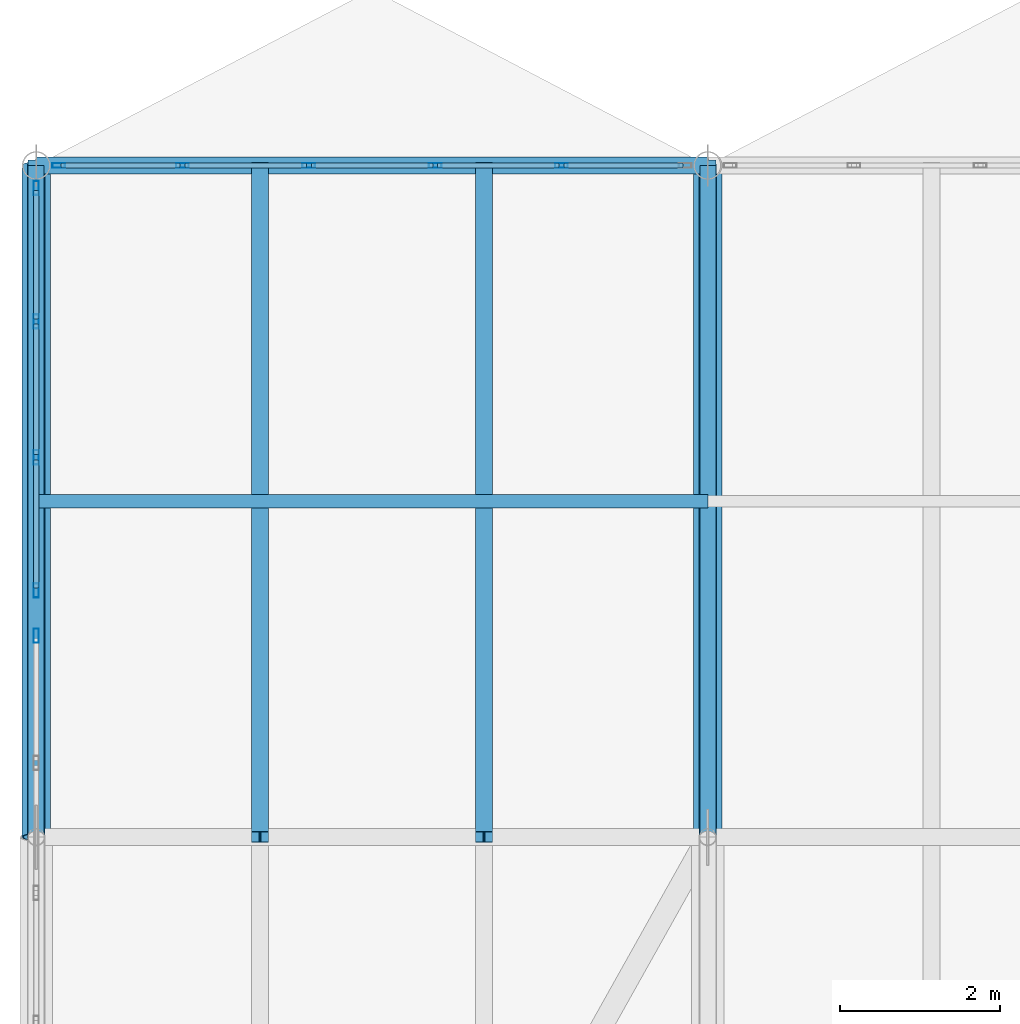
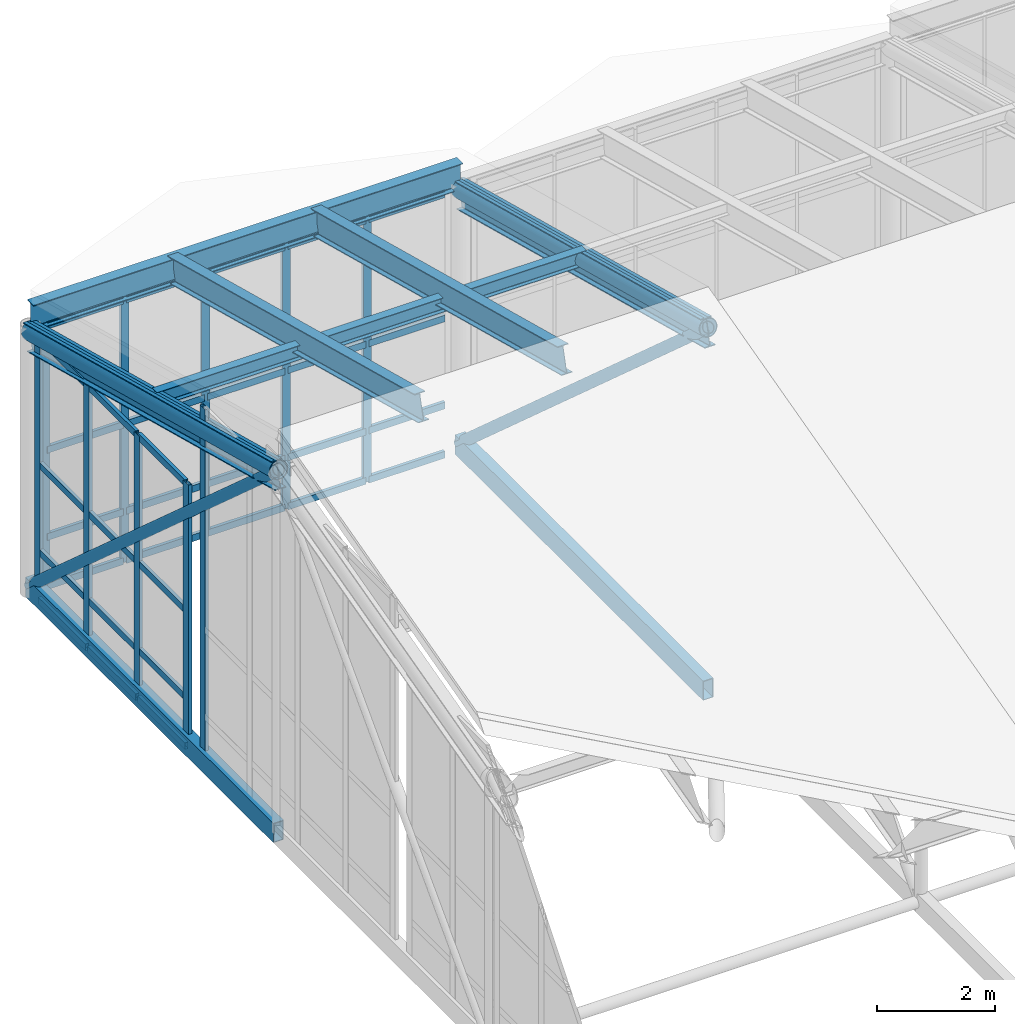
# One storey, part 14 of 43: 49 members, 5 beams, 3 elements without a shape of their own.
"""IFC4 building model written with IfcOpenShell, lengths in metres."""

from ifc_helpers import new_model, si_unit, direction, frame, origin, origin_2d, place, context, subcontext, project, spatial, hollow_rectangle, hollow_circle, i_section, extrude, material, layer, layer_set, material_profile, profile_set, type_object, element, aggregate, save


model = new_model("IFC4")

# Units and contexts
model_context = context("Model", 3, precision=1e-05, world=origin(), true_north=direction((0.0, 1.0)))
body_context = subcontext(model_context, "Body", "Model", "MODEL_VIEW")
ifc_project = project(units=[si_unit("LENGTHUNIT", "METRE"), si_unit("AREAUNIT", "SQUARE_METRE"), si_unit("VOLUMEUNIT", "CUBIC_METRE"), si_unit("PLANEANGLEUNIT", "RADIAN"), si_unit("MASSUNIT", "GRAM", prefix="KILO")], contexts=[model_context])

# Site, building, storey
site_placement = place(None, origin())
site = spatial("IfcSite", under=ifc_project, at=site_placement, CompositionType="ELEMENT")
building_placement = place(site_placement, origin())
building = spatial("IfcBuilding", under=site, at=building_placement, Name="Selat Folded Stagehouse", CompositionType="ELEMENT")
storey_placement = place(building_placement, frame((0.0, 0.0, 32.39990234375)))
storey = spatial("IfcBuildingStorey", under=building, at=storey_placement, Name="RF", CompositionType="ELEMENT", Elevation=32.39990234375)

# Beams
ifc_material_1 = material(Name="Steel S355", Category="steel")
ifc_material_profile_1 = material_profile(ifc_material_1, i_section(OverallWidth=0.210693359375, OverallDepth=0.53955078125, WebThickness=0.01171875, FlangeThickness=0.018798828125, FilletRadius=0.0126953125, at=origin_2d()), Name="UKB 533x210x109")
ifc_profile_set_1 = profile_set([ifc_material_profile_1], Name="Steel S355")
beam_type_1 = type_object("IfcBeamType", Name="BM-GIRD-533x210x109", PredefinedType="BEAM", material=ifc_profile_set_1)
for number, where, z_axis, x_axis, name in (
    (1, (8.39990234375, 46.199951171875, 7.529296875), (0.0, 0.966800633411, -0.25553186736), (-1.0, 0.0, 0.0), "RF primary north rafter beam 1"),
    (2, (16.800048828125, 46.199951171875, 7.529296875), (0.0, 0.966800633411, -0.25553186736), (-1.0, 0.0, 0.0), "RF primary north rafter beam 2"),
):
    element("IfcBeam", number, at=place(storey_placement, frame(where, z_axis=z_axis, x_axis=x_axis)), inside=storey, type_object=beam_type_1, Name=name, PredefinedType="BEAM", context=body_context, shape_type="SweptSolid", body=[
        extrude(i_section(OverallWidth=0.210693359375, OverallDepth=0.53955078125, WebThickness=0.01171875, FlangeThickness=0.018798828125, FilletRadius=0.0126953125, at=origin_2d()), origin(), (0.0, 0.0, 1.0), 8.688720703125),
    ])
ifc_material_profile_2 = material_profile(ifc_material_1, i_section(OverallWidth=0.209228515625, OverallDepth=0.533203125, WebThickness=0.010009765625, FlangeThickness=0.015625, FilletRadius=0.0126953125, at=origin_2d()), Name="UKB 533x210x92")
ifc_profile_set_2 = profile_set([ifc_material_profile_2], Name="Steel S355")
beam_type_2 = type_object("IfcBeamType", Name="BM-GIRD-533x210x92", PredefinedType="BEAM", material=ifc_profile_set_2)
beam_placement = place(storey_placement, frame((8.39990234375, 54.60009765625, 5.723388671875), z_axis=(1.0, 0.0, 0.0), x_axis=(0.0, 1.0, 0.0)))
element("IfcBeam", 3, at=beam_placement, inside=storey, type_object=beam_type_2, Name="RF bay 1 N roof bearer beam", PredefinedType="BEAM", context=body_context, shape_type="SweptSolid", body=[
    extrude(i_section(OverallWidth=0.209228515625, OverallDepth=0.533203125, WebThickness=0.010009765625, FlangeThickness=0.015625, FilletRadius=0.0126953125, at=origin_2d()), origin(), (0.0, 0.0, 1.0), 8.400146484375),
])
for number, where, z_axis, x_axis, name in (
    (4, (11.199951171875, 46.199951171875, 7.943359375), (0.0, 0.966807574904, -0.255505602889), (-1.0, 0.0, 0.0), "RF bay 1 W north sub-rafter"),
    (5, (14.0, 46.199951171875, 7.943359375), (0.0, 0.966807574904, -0.255505602889), (-1.0, 0.0, 0.0), "RF bay 1 E north sub-rafter"),
):
    element("IfcBeam", number, at=place(storey_placement, frame(where, z_axis=z_axis, x_axis=x_axis)), inside=storey, type_object=beam_type_2, Name=name, PredefinedType="BEAM", context=body_context, shape_type="SweptSolid", body=[
        extrude(i_section(OverallWidth=0.209228515625, OverallDepth=0.533203125, WebThickness=0.010009765625, FlangeThickness=0.015625, FilletRadius=0.0126953125, at=origin_2d()), origin(), (0.0, 0.0, 1.0), 8.6884765625),
    ])

# Curtain wall, members
ifc_material_2 = material(Name="Aluminium 6063-T6", Category="aluminium")
ifc_layer = layer(ifc_material_2, 0.169921875)
ifc_layer_set = layer_set([ifc_layer], Name="Aluminium 6063-T6")
curtain_wall_type = type_object("IfcCurtainWallType", Name="CW-CRN-CLER", PredefinedType="NOTDEFINED", material=ifc_layer_set)
curtain_wall_1_placement = place(storey_placement, origin())
curtain_wall_1 = element("IfcCurtainWall", 6, at=curtain_wall_1_placement, inside=storey, type_object=curtain_wall_type, Name="RF curtain wall CW-RF-N-00", PredefinedType="NOTDEFINED")
ifc_material_profile_3 = material_profile(ifc_material_2, hollow_rectangle(XDim=0.06005859375, YDim=0.159912109375, WallThickness=0.00390625, at=origin_2d()), Name="ALU 160x60x4.0")
ifc_profile_set_3 = profile_set([ifc_material_profile_3], Name="Aluminium 6063-T6")
member_type_1 = type_object("IfcMemberType", Name="CWM-MUL-160x60", PredefinedType="MULLION", material=ifc_profile_set_3)
member_1_placement = place(storey_placement, frame((8.679931640625, 54.60009765625, 0.0), z_axis=(0.0, 0.0, 1.0), x_axis=(0.0, 1.0, 0.0)))
member_1 = element("IfcMember", 7, at=member_1_placement, type_object=member_type_1, Name="CW-09 mullion 1", PredefinedType="MULLION", context=body_context, shape_type="SweptSolid", body=[
    extrude(hollow_rectangle(XDim=0.06005859375, YDim=0.159912109375, WallThickness=0.00390625, at=origin_2d()), origin(), (0.0, 0.0, 1.0), 5.4501953125),
])
member_2_placement = place(storey_placement, frame((10.22998046875, 54.60009765625, 0.0), z_axis=(0.0, 0.0, 1.0), x_axis=(0.0, 1.0, 0.0)))
member_2 = element("IfcMember", 8, at=member_2_placement, type_object=member_type_1, Name="CW-09 mullion 2", PredefinedType="MULLION", context=body_context, shape_type="SweptSolid", body=[
    extrude(hollow_rectangle(XDim=0.06005859375, YDim=0.159912109375, WallThickness=0.00390625, at=origin_2d()), origin(), (0.0, 0.0, 1.0), 5.4501953125),
])
member_3_placement = place(storey_placement, frame((11.81005859375, 54.60009765625, 0.0), z_axis=(0.0, 0.0, 1.0), x_axis=(0.0, 1.0, 0.0)))
member_3 = element("IfcMember", 9, at=member_3_placement, type_object=member_type_1, Name="CW-09 mullion 3", PredefinedType="MULLION", context=body_context, shape_type="SweptSolid", body=[
    extrude(hollow_rectangle(XDim=0.06005859375, YDim=0.159912109375, WallThickness=0.00390625, at=origin_2d()), origin(), (0.0, 0.0, 1.0), 5.4501953125),
])
member_4_placement = place(storey_placement, frame((13.389892578125, 54.60009765625, 0.0), z_axis=(0.0, 0.0, 1.0), x_axis=(0.0, 1.0, 0.0)))
member_4 = element("IfcMember", 10, at=member_4_placement, type_object=member_type_1, Name="CW-09 mullion 4", PredefinedType="MULLION", context=body_context, shape_type="SweptSolid", body=[
    extrude(hollow_rectangle(XDim=0.06005859375, YDim=0.159912109375, WallThickness=0.00390625, at=origin_2d()), origin(), (0.0, 0.0, 1.0), 5.4501953125),
])
member_5_placement = place(storey_placement, frame((14.969970703125, 54.60009765625, 0.0), z_axis=(0.0, 0.0, 1.0), x_axis=(0.0, 1.0, 0.0)))
member_5 = element("IfcMember", 11, at=member_5_placement, type_object=member_type_1, Name="CW-09 mullion 5", PredefinedType="MULLION", context=body_context, shape_type="SweptSolid", body=[
    extrude(hollow_rectangle(XDim=0.06005859375, YDim=0.159912109375, WallThickness=0.00390625, at=origin_2d()), origin(), (0.0, 0.0, 1.0), 5.4501953125),
])

# Curtain wall, member
curtain_wall_2_placement = place(storey_placement, origin())
curtain_wall_2 = element("IfcCurtainWall", 12, at=curtain_wall_2_placement, inside=storey, type_object=curtain_wall_type, Name="RF curtain wall CW-RF-W-02", PredefinedType="NOTDEFINED")
ifc_material_profile_4 = material_profile(ifc_material_2, hollow_rectangle(XDim=0.06494140625, YDim=0.179931640625, WallThickness=0.00390625, at=origin_2d()), Name="ALU 180x65x4.0")
ifc_profile_set_4 = profile_set([ifc_material_profile_4], Name="Aluminium 6063-T6")
member_type_2 = type_object("IfcMemberType", Name="CWM-MUL-180x65", PredefinedType="MULLION", material=ifc_profile_set_4)
member_6_placement = place(storey_placement, frame((8.39990234375, 48.717529296875, 0.0), z_axis=(0.0, 0.0, 1.0), x_axis=(-1.0, 0.0, 0.0)))
member_6 = element("IfcMember", 13, at=member_6_placement, type_object=member_type_2, Name="CW-09 mullion 5", PredefinedType="MULLION", context=body_context, shape_type="SweptSolid", body=[
    extrude(hollow_rectangle(XDim=0.06494140625, YDim=0.179931640625, WallThickness=0.00390625, at=origin_2d()), origin(), (0.0, 0.0, 1.0), 7.400146484375),
])
aggregate(curtain_wall_2, [member_6])

# Curtain wall, members
curtain_wall_3_placement = place(storey_placement, origin())
curtain_wall_3 = element("IfcCurtainWall", 14, at=curtain_wall_3_placement, inside=storey, type_object=curtain_wall_type, Name="RF curtain wall CW-RF-W-03", PredefinedType="NOTDEFINED")
member_7_placement = place(storey_placement, frame((8.39990234375, 49.282470703125, 0.0), z_axis=(0.0, 0.0, 1.0), x_axis=(-1.0, 0.0, 0.0)))
member_7 = element("IfcMember", 15, at=member_7_placement, type_object=member_type_2, Name="CW-09 mullion 1", PredefinedType="MULLION", context=body_context, shape_type="SweptSolid", body=[
    extrude(hollow_rectangle(XDim=0.06494140625, YDim=0.179931640625, WallThickness=0.00390625, at=origin_2d()), origin(), (0.0, 0.0, 1.0), 5.5),
])
member_8_placement = place(storey_placement, frame((8.39990234375, 50.949951171875, 0.0), z_axis=(0.0, 0.0, 1.0), x_axis=(-1.0, 0.0, 0.0)))
member_8 = element("IfcMember", 16, at=member_8_placement, type_object=member_type_2, Name="CW-09 mullion 2", PredefinedType="MULLION", context=body_context, shape_type="SweptSolid", body=[
    extrude(hollow_rectangle(XDim=0.06494140625, YDim=0.179931640625, WallThickness=0.00390625, at=origin_2d()), origin(), (0.0, 0.0, 1.0), 5.5),
])
member_9_placement = place(storey_placement, frame((8.39990234375, 52.64990234375, 0.0), z_axis=(0.0, 0.0, 1.0), x_axis=(-1.0, 0.0, 0.0)))
member_9 = element("IfcMember", 17, at=member_9_placement, type_object=member_type_2, Name="CW-09 mullion 3", PredefinedType="MULLION", context=body_context, shape_type="SweptSolid", body=[
    extrude(hollow_rectangle(XDim=0.06494140625, YDim=0.179931640625, WallThickness=0.00390625, at=origin_2d()), origin(), (0.0, 0.0, 1.0), 5.5),
])
member_10_placement = place(storey_placement, frame((8.39990234375, 54.3173828125, 0.0), z_axis=(0.0, 0.0, 1.0), x_axis=(-1.0, 0.0, 0.0)))
member_10 = element("IfcMember", 18, at=member_10_placement, type_object=member_type_2, Name="CW-09 mullion 4", PredefinedType="MULLION", context=body_context, shape_type="SweptSolid", body=[
    extrude(hollow_rectangle(XDim=0.06494140625, YDim=0.179931640625, WallThickness=0.00390625, at=origin_2d()), origin(), (0.0, 0.0, 1.0), 5.5),
])

# Member
ifc_material_profile_5 = material_profile(ifc_material_2, hollow_rectangle(XDim=0.06494140625, YDim=0.139892578125, WallThickness=0.00390625, at=origin_2d()), Name="ALU 140x65x4.0")
ifc_profile_set_5 = profile_set([ifc_material_profile_5], Name="Aluminium 6063-T6")
member_type_3 = type_object("IfcMemberType", Name="CWM-TRN-140x65", PredefinedType="USERDEFINED", material=ifc_profile_set_5)
member_11_placement = place(storey_placement, frame((8.7099609375, 54.60009765625, 0.03271484375), z_axis=(1.0, 0.0, 0.0), x_axis=(0.0, 1.0, 0.0)))
member_11 = element("IfcMember", 19, at=member_11_placement, type_object=member_type_3, Name="CW-09 transom 1.1", ObjectType="TRANSOM", PredefinedType="USERDEFINED", context=body_context, shape_type="SweptSolid", body=[
    extrude(hollow_rectangle(XDim=0.06494140625, YDim=0.139892578125, WallThickness=0.00390625, at=origin_2d()), origin(), (0.0, 0.0, 1.0), 1.489990234375),
])

member_12_placement = place(storey_placement, frame((8.7099609375, 54.60009765625, 1.050048828125), z_axis=(1.0, 0.0, 0.0), x_axis=(0.0, 1.0, 0.0)))
member_12 = element("IfcMember", 20, at=member_12_placement, type_object=member_type_3, Name="CW-09 transom 1.2", ObjectType="TRANSOM", PredefinedType="USERDEFINED", context=body_context, shape_type="SweptSolid", body=[
    extrude(hollow_rectangle(XDim=0.06494140625, YDim=0.139892578125, WallThickness=0.00390625, at=origin_2d()), origin(), (0.0, 0.0, 1.0), 1.489990234375),
])

member_13_placement = place(storey_placement, frame((8.7099609375, 54.60009765625, 2.85009765625), z_axis=(1.0, 0.0, 0.0), x_axis=(0.0, 1.0, 0.0)))
member_13 = element("IfcMember", 21, at=member_13_placement, type_object=member_type_3, Name="CW-09 transom 1.3", ObjectType="TRANSOM", PredefinedType="USERDEFINED", context=body_context, shape_type="SweptSolid", body=[
    extrude(hollow_rectangle(XDim=0.06494140625, YDim=0.139892578125, WallThickness=0.00390625, at=origin_2d()), origin(), (0.0, 0.0, 1.0), 1.489990234375),
])

member_14_placement = place(storey_placement, frame((8.7099609375, 54.60009765625, 5.41748046875), z_axis=(1.0, 0.0, 0.0), x_axis=(0.0, 1.0, 0.0)))
member_14 = element("IfcMember", 22, at=member_14_placement, type_object=member_type_3, Name="CW-09 transom 1.4", ObjectType="TRANSOM", PredefinedType="USERDEFINED", context=body_context, shape_type="SweptSolid", body=[
    extrude(hollow_rectangle(XDim=0.06494140625, YDim=0.139892578125, WallThickness=0.00390625, at=origin_2d()), origin(), (0.0, 0.0, 1.0), 1.489990234375),
])

member_15_placement = place(storey_placement, frame((10.260009765625, 54.60009765625, 0.03271484375), z_axis=(1.0, 0.0, 0.0), x_axis=(0.0, 1.0, 0.0)))
member_15 = element("IfcMember", 23, at=member_15_placement, type_object=member_type_3, Name="CW-09 transom 2.1", ObjectType="TRANSOM", PredefinedType="USERDEFINED", context=body_context, shape_type="SweptSolid", body=[
    extrude(hollow_rectangle(XDim=0.06494140625, YDim=0.139892578125, WallThickness=0.00390625, at=origin_2d()), origin(), (0.0, 0.0, 1.0), 1.52001953125),
])

member_16_placement = place(storey_placement, frame((10.260009765625, 54.60009765625, 1.050048828125), z_axis=(1.0, 0.0, 0.0), x_axis=(0.0, 1.0, 0.0)))
member_16 = element("IfcMember", 24, at=member_16_placement, type_object=member_type_3, Name="CW-09 transom 2.2", ObjectType="TRANSOM", PredefinedType="USERDEFINED", context=body_context, shape_type="SweptSolid", body=[
    extrude(hollow_rectangle(XDim=0.06494140625, YDim=0.139892578125, WallThickness=0.00390625, at=origin_2d()), origin(), (0.0, 0.0, 1.0), 1.52001953125),
])

member_17_placement = place(storey_placement, frame((10.260009765625, 54.60009765625, 2.85009765625), z_axis=(1.0, 0.0, 0.0), x_axis=(0.0, 1.0, 0.0)))
member_17 = element("IfcMember", 25, at=member_17_placement, type_object=member_type_3, Name="CW-09 transom 2.3", ObjectType="TRANSOM", PredefinedType="USERDEFINED", context=body_context, shape_type="SweptSolid", body=[
    extrude(hollow_rectangle(XDim=0.06494140625, YDim=0.139892578125, WallThickness=0.00390625, at=origin_2d()), origin(), (0.0, 0.0, 1.0), 1.52001953125),
])

member_18_placement = place(storey_placement, frame((10.260009765625, 54.60009765625, 5.41748046875), z_axis=(1.0, 0.0, 0.0), x_axis=(0.0, 1.0, 0.0)))
member_18 = element("IfcMember", 26, at=member_18_placement, type_object=member_type_3, Name="CW-09 transom 2.4", ObjectType="TRANSOM", PredefinedType="USERDEFINED", context=body_context, shape_type="SweptSolid", body=[
    extrude(hollow_rectangle(XDim=0.06494140625, YDim=0.139892578125, WallThickness=0.00390625, at=origin_2d()), origin(), (0.0, 0.0, 1.0), 1.52001953125),
])

member_19_placement = place(storey_placement, frame((11.840087890625, 54.60009765625, 0.03271484375), z_axis=(1.0, 0.0, 0.0), x_axis=(0.0, 1.0, 0.0)))
member_19 = element("IfcMember", 27, at=member_19_placement, type_object=member_type_3, Name="CW-09 transom 3.1", ObjectType="TRANSOM", PredefinedType="USERDEFINED", context=body_context, shape_type="SweptSolid", body=[
    extrude(hollow_rectangle(XDim=0.06494140625, YDim=0.139892578125, WallThickness=0.00390625, at=origin_2d()), origin(), (0.0, 0.0, 1.0), 1.52001953125),
])

member_20_placement = place(storey_placement, frame((11.840087890625, 54.60009765625, 1.050048828125), z_axis=(1.0, 0.0, 0.0), x_axis=(0.0, 1.0, 0.0)))
member_20 = element("IfcMember", 28, at=member_20_placement, type_object=member_type_3, Name="CW-09 transom 3.2", ObjectType="TRANSOM", PredefinedType="USERDEFINED", context=body_context, shape_type="SweptSolid", body=[
    extrude(hollow_rectangle(XDim=0.06494140625, YDim=0.139892578125, WallThickness=0.00390625, at=origin_2d()), origin(), (0.0, 0.0, 1.0), 1.52001953125),
])

member_21_placement = place(storey_placement, frame((11.840087890625, 54.60009765625, 2.85009765625), z_axis=(1.0, 0.0, 0.0), x_axis=(0.0, 1.0, 0.0)))
member_21 = element("IfcMember", 29, at=member_21_placement, type_object=member_type_3, Name="CW-09 transom 3.3", ObjectType="TRANSOM", PredefinedType="USERDEFINED", context=body_context, shape_type="SweptSolid", body=[
    extrude(hollow_rectangle(XDim=0.06494140625, YDim=0.139892578125, WallThickness=0.00390625, at=origin_2d()), origin(), (0.0, 0.0, 1.0), 1.52001953125),
])

member_22_placement = place(storey_placement, frame((11.840087890625, 54.60009765625, 5.41748046875), z_axis=(1.0, 0.0, 0.0), x_axis=(0.0, 1.0, 0.0)))
member_22 = element("IfcMember", 30, at=member_22_placement, type_object=member_type_3, Name="CW-09 transom 3.4", ObjectType="TRANSOM", PredefinedType="USERDEFINED", context=body_context, shape_type="SweptSolid", body=[
    extrude(hollow_rectangle(XDim=0.06494140625, YDim=0.139892578125, WallThickness=0.00390625, at=origin_2d()), origin(), (0.0, 0.0, 1.0), 1.52001953125),
])

member_23_placement = place(storey_placement, frame((13.419921875, 54.60009765625, 0.03271484375), z_axis=(1.0, 0.0, 0.0), x_axis=(0.0, 1.0, 0.0)))
member_23 = element("IfcMember", 31, at=member_23_placement, type_object=member_type_3, Name="CW-09 transom 4.1", ObjectType="TRANSOM", PredefinedType="USERDEFINED", context=body_context, shape_type="SweptSolid", body=[
    extrude(hollow_rectangle(XDim=0.06494140625, YDim=0.139892578125, WallThickness=0.00390625, at=origin_2d()), origin(), (0.0, 0.0, 1.0), 1.52001953125),
])

member_24_placement = place(storey_placement, frame((13.419921875, 54.60009765625, 1.050048828125), z_axis=(1.0, 0.0, 0.0), x_axis=(0.0, 1.0, 0.0)))
member_24 = element("IfcMember", 32, at=member_24_placement, type_object=member_type_3, Name="CW-09 transom 4.2", ObjectType="TRANSOM", PredefinedType="USERDEFINED", context=body_context, shape_type="SweptSolid", body=[
    extrude(hollow_rectangle(XDim=0.06494140625, YDim=0.139892578125, WallThickness=0.00390625, at=origin_2d()), origin(), (0.0, 0.0, 1.0), 1.52001953125),
])

member_25_placement = place(storey_placement, frame((13.419921875, 54.60009765625, 2.85009765625), z_axis=(1.0, 0.0, 0.0), x_axis=(0.0, 1.0, 0.0)))
member_25 = element("IfcMember", 33, at=member_25_placement, type_object=member_type_3, Name="CW-09 transom 4.3", ObjectType="TRANSOM", PredefinedType="USERDEFINED", context=body_context, shape_type="SweptSolid", body=[
    extrude(hollow_rectangle(XDim=0.06494140625, YDim=0.139892578125, WallThickness=0.00390625, at=origin_2d()), origin(), (0.0, 0.0, 1.0), 1.52001953125),
])

member_26_placement = place(storey_placement, frame((13.419921875, 54.60009765625, 5.41748046875), z_axis=(1.0, 0.0, 0.0), x_axis=(0.0, 1.0, 0.0)))
member_26 = element("IfcMember", 34, at=member_26_placement, type_object=member_type_3, Name="CW-09 transom 4.4", ObjectType="TRANSOM", PredefinedType="USERDEFINED", context=body_context, shape_type="SweptSolid", body=[
    extrude(hollow_rectangle(XDim=0.06494140625, YDim=0.139892578125, WallThickness=0.00390625, at=origin_2d()), origin(), (0.0, 0.0, 1.0), 1.52001953125),
])

member_27_placement = place(storey_placement, frame((15.0, 54.60009765625, 0.03271484375), z_axis=(1.0, 0.0, 0.0), x_axis=(0.0, 1.0, 0.0)))
member_27 = element("IfcMember", 35, at=member_27_placement, type_object=member_type_3, Name="CW-09 transom 5.1", ObjectType="TRANSOM", PredefinedType="USERDEFINED", context=body_context, shape_type="SweptSolid", body=[
    extrude(hollow_rectangle(XDim=0.06494140625, YDim=0.139892578125, WallThickness=0.00390625, at=origin_2d()), origin(), (0.0, 0.0, 1.0), 1.489990234375),
])

member_28_placement = place(storey_placement, frame((15.0, 54.60009765625, 1.050048828125), z_axis=(1.0, 0.0, 0.0), x_axis=(0.0, 1.0, 0.0)))
member_28 = element("IfcMember", 36, at=member_28_placement, type_object=member_type_3, Name="CW-09 transom 5.2", ObjectType="TRANSOM", PredefinedType="USERDEFINED", context=body_context, shape_type="SweptSolid", body=[
    extrude(hollow_rectangle(XDim=0.06494140625, YDim=0.139892578125, WallThickness=0.00390625, at=origin_2d()), origin(), (0.0, 0.0, 1.0), 1.489990234375),
])

member_29_placement = place(storey_placement, frame((15.0, 54.60009765625, 2.85009765625), z_axis=(1.0, 0.0, 0.0), x_axis=(0.0, 1.0, 0.0)))
member_29 = element("IfcMember", 37, at=member_29_placement, type_object=member_type_3, Name="CW-09 transom 5.3", ObjectType="TRANSOM", PredefinedType="USERDEFINED", context=body_context, shape_type="SweptSolid", body=[
    extrude(hollow_rectangle(XDim=0.06494140625, YDim=0.139892578125, WallThickness=0.00390625, at=origin_2d()), origin(), (0.0, 0.0, 1.0), 1.489990234375),
])

member_30_placement = place(storey_placement, frame((15.0, 54.60009765625, 5.41748046875), z_axis=(1.0, 0.0, 0.0), x_axis=(0.0, 1.0, 0.0)))
member_30 = element("IfcMember", 38, at=member_30_placement, type_object=member_type_3, Name="CW-09 transom 5.4", ObjectType="TRANSOM", PredefinedType="USERDEFINED", context=body_context, shape_type="SweptSolid", body=[
    extrude(hollow_rectangle(XDim=0.06494140625, YDim=0.139892578125, WallThickness=0.00390625, at=origin_2d()), origin(), (0.0, 0.0, 1.0), 1.489990234375),
])

aggregate(curtain_wall_1, [member_1, member_2, member_3, member_4, member_5, member_11, member_12, member_13, member_14, member_15, member_16, member_17, member_18, member_19, member_20, member_21, member_22, member_23, member_24, member_25, member_26, member_27, member_28, member_29, member_30])

member_31_placement = place(storey_placement, frame((8.39990234375, 49.31494140625, 0.03271484375), z_axis=(0.0, 1.0, 0.0), x_axis=(-1.0, 0.0, 0.0)))
member_31 = element("IfcMember", 39, at=member_31_placement, type_object=member_type_3, Name="CW-09 transom 1.1", ObjectType="TRANSOM", PredefinedType="USERDEFINED", context=body_context, shape_type="SweptSolid", body=[
    extrude(hollow_rectangle(XDim=0.06494140625, YDim=0.139892578125, WallThickness=0.00390625, at=origin_2d()), origin(), (0.0, 0.0, 1.0), 1.6025390625),
])

member_32_placement = place(storey_placement, frame((8.39990234375, 49.31494140625, 1.050048828125), z_axis=(0.0, 1.0, 0.0), x_axis=(-1.0, 0.0, 0.0)))
member_32 = element("IfcMember", 40, at=member_32_placement, type_object=member_type_3, Name="CW-09 transom 1.2", ObjectType="TRANSOM", PredefinedType="USERDEFINED", context=body_context, shape_type="SweptSolid", body=[
    extrude(hollow_rectangle(XDim=0.06494140625, YDim=0.139892578125, WallThickness=0.00390625, at=origin_2d()), origin(), (0.0, 0.0, 1.0), 1.6025390625),
])

member_33_placement = place(storey_placement, frame((8.39990234375, 49.31494140625, 2.85009765625), z_axis=(0.0, 1.0, 0.0), x_axis=(-1.0, 0.0, 0.0)))
member_33 = element("IfcMember", 41, at=member_33_placement, type_object=member_type_3, Name="CW-09 transom 1.3", ObjectType="TRANSOM", PredefinedType="USERDEFINED", context=body_context, shape_type="SweptSolid", body=[
    extrude(hollow_rectangle(XDim=0.06494140625, YDim=0.139892578125, WallThickness=0.00390625, at=origin_2d()), origin(), (0.0, 0.0, 1.0), 1.6025390625),
])

member_34_placement = place(storey_placement, frame((8.39990234375, 49.31494140625, 5.467529296875), z_axis=(0.0, 1.0, 0.0), x_axis=(-1.0, 0.0, 0.0)))
member_34 = element("IfcMember", 42, at=member_34_placement, type_object=member_type_3, Name="CW-09 transom 1.4", ObjectType="TRANSOM", PredefinedType="USERDEFINED", context=body_context, shape_type="SweptSolid", body=[
    extrude(hollow_rectangle(XDim=0.06494140625, YDim=0.139892578125, WallThickness=0.00390625, at=origin_2d()), origin(), (0.0, 0.0, 1.0), 1.6025390625),
])

member_35_placement = place(storey_placement, frame((8.39990234375, 50.982421875, 0.03271484375), z_axis=(0.0, 1.0, 0.0), x_axis=(-1.0, 0.0, 0.0)))
member_35 = element("IfcMember", 43, at=member_35_placement, type_object=member_type_3, Name="CW-09 transom 2.1", ObjectType="TRANSOM", PredefinedType="USERDEFINED", context=body_context, shape_type="SweptSolid", body=[
    extrude(hollow_rectangle(XDim=0.06494140625, YDim=0.139892578125, WallThickness=0.00390625, at=origin_2d()), origin(), (0.0, 0.0, 1.0), 1.635009765625),
])

member_36_placement = place(storey_placement, frame((8.39990234375, 50.982421875, 1.050048828125), z_axis=(0.0, 1.0, 0.0), x_axis=(-1.0, 0.0, 0.0)))
member_36 = element("IfcMember", 44, at=member_36_placement, type_object=member_type_3, Name="CW-09 transom 2.2", ObjectType="TRANSOM", PredefinedType="USERDEFINED", context=body_context, shape_type="SweptSolid", body=[
    extrude(hollow_rectangle(XDim=0.06494140625, YDim=0.139892578125, WallThickness=0.00390625, at=origin_2d()), origin(), (0.0, 0.0, 1.0), 1.635009765625),
])

member_37_placement = place(storey_placement, frame((8.39990234375, 50.982421875, 2.85009765625), z_axis=(0.0, 1.0, 0.0), x_axis=(-1.0, 0.0, 0.0)))
member_37 = element("IfcMember", 45, at=member_37_placement, type_object=member_type_3, Name="CW-09 transom 2.3", ObjectType="TRANSOM", PredefinedType="USERDEFINED", context=body_context, shape_type="SweptSolid", body=[
    extrude(hollow_rectangle(XDim=0.06494140625, YDim=0.139892578125, WallThickness=0.00390625, at=origin_2d()), origin(), (0.0, 0.0, 1.0), 1.635009765625),
])

member_38_placement = place(storey_placement, frame((8.39990234375, 50.982421875, 5.467529296875), z_axis=(0.0, 1.0, 0.0), x_axis=(-1.0, 0.0, 0.0)))
member_38 = element("IfcMember", 46, at=member_38_placement, type_object=member_type_3, Name="CW-09 transom 2.4", ObjectType="TRANSOM", PredefinedType="USERDEFINED", context=body_context, shape_type="SweptSolid", body=[
    extrude(hollow_rectangle(XDim=0.06494140625, YDim=0.139892578125, WallThickness=0.00390625, at=origin_2d()), origin(), (0.0, 0.0, 1.0), 1.635009765625),
])

member_39_placement = place(storey_placement, frame((8.39990234375, 52.6826171875, 0.03271484375), z_axis=(0.0, 1.0, 0.0), x_axis=(-1.0, 0.0, 0.0)))
member_39 = element("IfcMember", 47, at=member_39_placement, type_object=member_type_3, Name="CW-09 transom 3.1", ObjectType="TRANSOM", PredefinedType="USERDEFINED", context=body_context, shape_type="SweptSolid", body=[
    extrude(hollow_rectangle(XDim=0.06494140625, YDim=0.139892578125, WallThickness=0.00390625, at=origin_2d()), origin(), (0.0, 0.0, 1.0), 1.602294921875),
])

member_40_placement = place(storey_placement, frame((8.39990234375, 52.6826171875, 1.050048828125), z_axis=(0.0, 1.0, 0.0), x_axis=(-1.0, 0.0, 0.0)))
member_40 = element("IfcMember", 48, at=member_40_placement, type_object=member_type_3, Name="CW-09 transom 3.2", ObjectType="TRANSOM", PredefinedType="USERDEFINED", context=body_context, shape_type="SweptSolid", body=[
    extrude(hollow_rectangle(XDim=0.06494140625, YDim=0.139892578125, WallThickness=0.00390625, at=origin_2d()), origin(), (0.0, 0.0, 1.0), 1.602294921875),
])

member_41_placement = place(storey_placement, frame((8.39990234375, 52.6826171875, 2.85009765625), z_axis=(0.0, 1.0, 0.0), x_axis=(-1.0, 0.0, 0.0)))
member_41 = element("IfcMember", 49, at=member_41_placement, type_object=member_type_3, Name="CW-09 transom 3.3", ObjectType="TRANSOM", PredefinedType="USERDEFINED", context=body_context, shape_type="SweptSolid", body=[
    extrude(hollow_rectangle(XDim=0.06494140625, YDim=0.139892578125, WallThickness=0.00390625, at=origin_2d()), origin(), (0.0, 0.0, 1.0), 1.602294921875),
])

member_42_placement = place(storey_placement, frame((8.39990234375, 52.6826171875, 5.467529296875), z_axis=(0.0, 1.0, 0.0), x_axis=(-1.0, 0.0, 0.0)))
member_42 = element("IfcMember", 50, at=member_42_placement, type_object=member_type_3, Name="CW-09 transom 3.4", ObjectType="TRANSOM", PredefinedType="USERDEFINED", context=body_context, shape_type="SweptSolid", body=[
    extrude(hollow_rectangle(XDim=0.06494140625, YDim=0.139892578125, WallThickness=0.00390625, at=origin_2d()), origin(), (0.0, 0.0, 1.0), 1.602294921875),
])

aggregate(curtain_wall_3, [member_7, member_8, member_9, member_10, member_31, member_32, member_33, member_34, member_35, member_36, member_37, member_38, member_39, member_40, member_41, member_42])

# Members
ifc_material_profile_6 = material_profile(ifc_material_1, hollow_circle(Radius=0.109619140625, WallThickness=0.010009765625, at=origin_2d()), Name="CHS 219.1x10.0")
ifc_profile_set_6 = profile_set([ifc_material_profile_6], Name="Steel S355")
member_type_4 = type_object("IfcMemberType", Name="MEM-BRACE-CHS219", PredefinedType="BRACE", material=ifc_profile_set_6)
for number, where, z_axis, x_axis, name in (
    (51, (8.39990234375, 46.199951171875, 7.6279296875), (0.0, 0.746924046978, -0.664909368294), (-1.0, 0.0, 0.0), "Folded-plate web diagonal 1.4"),
    (52, (16.800048828125, 46.199951171875, 7.6279296875), (0.0, 0.746924046978, -0.664909368294), (-1.0, 0.0, 0.0), "Folded-plate web diagonal 2.4"),
):
    element("IfcMember", number, at=place(storey_placement, frame(where, z_axis=z_axis, x_axis=x_axis)), inside=storey, type_object=member_type_4, Name=name, PredefinedType="BRACE", context=body_context, shape_type="SweptSolid", body=[
        extrude(hollow_circle(Radius=0.109619140625, WallThickness=0.010009765625, at=origin_2d()), origin(), (0.0, 0.0, 1.0), 11.246337890625),
    ])
ifc_material_profile_7 = material_profile(ifc_material_1, hollow_circle(Radius=0.177734375, WallThickness=0.01611328125, at=origin_2d()), Name="CHS 355.6x16.0")
ifc_profile_set_7 = profile_set([ifc_material_profile_7], Name="Steel S355")
member_type_5 = type_object("IfcMemberType", Name="MEM-CHORD-CHS355", PredefinedType="CHORD", material=ifc_profile_set_7)
for number, where, z_axis, x_axis, name in (
    (53, (8.39990234375, 46.199951171875, 7.6279296875), (0.0, 0.966807574904, -0.255505602889), (-1.0, 0.0, 0.0), "Folded-plate top chord 1.4"),
    (54, (16.800048828125, 46.199951171875, 7.6279296875), (0.0, 0.966807574904, -0.255505602889), (-1.0, 0.0, 0.0), "Folded-plate top chord 2.4"),
):
    element("IfcMember", number, at=place(storey_placement, frame(where, z_axis=z_axis, x_axis=x_axis)), inside=storey, type_object=member_type_5, Name=name, PredefinedType="CHORD", context=body_context, shape_type="SweptSolid", body=[
        extrude(hollow_circle(Radius=0.177734375, WallThickness=0.01611328125, at=origin_2d()), origin(), (0.0, 0.0, 1.0), 8.6884765625),
    ])
ifc_material_profile_8 = material_profile(ifc_material_1, hollow_rectangle(XDim=0.199951171875, YDim=0.39990234375, WallThickness=0.012451171875, at=origin_2d()), Name="RHS 400x200x12.5")
ifc_profile_set_8 = profile_set([ifc_material_profile_8], Name="Steel S355")
member_type_6 = type_object("IfcMemberType", Name="MEM-CHORD-RHS400", PredefinedType="CHORD", material=ifc_profile_set_8)
for number, where, z_axis, x_axis, name in (
    (55, (8.39990234375, 46.199951171875, 0.150146484375), (0.0, 1.0, 0.0), (-1.0, 0.0, 0.0), "Folded-plate bottom tie 1.4"),
    (56, (16.800048828125, 46.199951171875, 0.150146484375), (0.0, 1.0, 0.0), (-1.0, 0.0, 0.0), "Folded-plate bottom tie 2.4"),
):
    element("IfcMember", number, at=place(storey_placement, frame(where, z_axis=z_axis, x_axis=x_axis)), inside=storey, type_object=member_type_6, Name=name, PredefinedType="CHORD", context=body_context, shape_type="SweptSolid", body=[
        extrude(hollow_rectangle(XDim=0.199951171875, YDim=0.39990234375, WallThickness=0.012451171875, at=origin_2d()), origin(), (0.0, 0.0, 1.0), 8.400146484375),
    ])
ifc_material_profile_9 = material_profile(ifc_material_1, i_section(OverallWidth=0.1650390625, OverallDepth=0.303466796875, WebThickness=0.006103515625, FlangeThickness=0.01025390625, FilletRadius=0.0087890625, at=origin_2d()), Name="UKB 305x165x40")
ifc_profile_set_9 = profile_set([ifc_material_profile_9], Name="Steel S355")
member_type_7 = type_object("IfcMemberType", Name="MEM-PURLIN-UKB305", PredefinedType="PURLIN", material=ifc_profile_set_9)
member_43_placement = place(storey_placement, frame((8.39990234375, 50.39990234375, 6.5712890625), z_axis=(1.0, 0.0, 0.0), x_axis=(0.0, 1.0, 0.0)))
element("IfcMember", 57, at=member_43_placement, inside=storey, type_object=member_type_7, Name="Folded-plate roof purlin bay 1.5", PredefinedType="PURLIN", context=body_context, shape_type="SweptSolid", body=[
    extrude(i_section(OverallWidth=0.1650390625, OverallDepth=0.303466796875, WebThickness=0.006103515625, FlangeThickness=0.01025390625, FilletRadius=0.0087890625, at=origin_2d()), origin(), (0.0, 0.0, 1.0), 8.400146484375),
])

save(model, "model.ifc")
